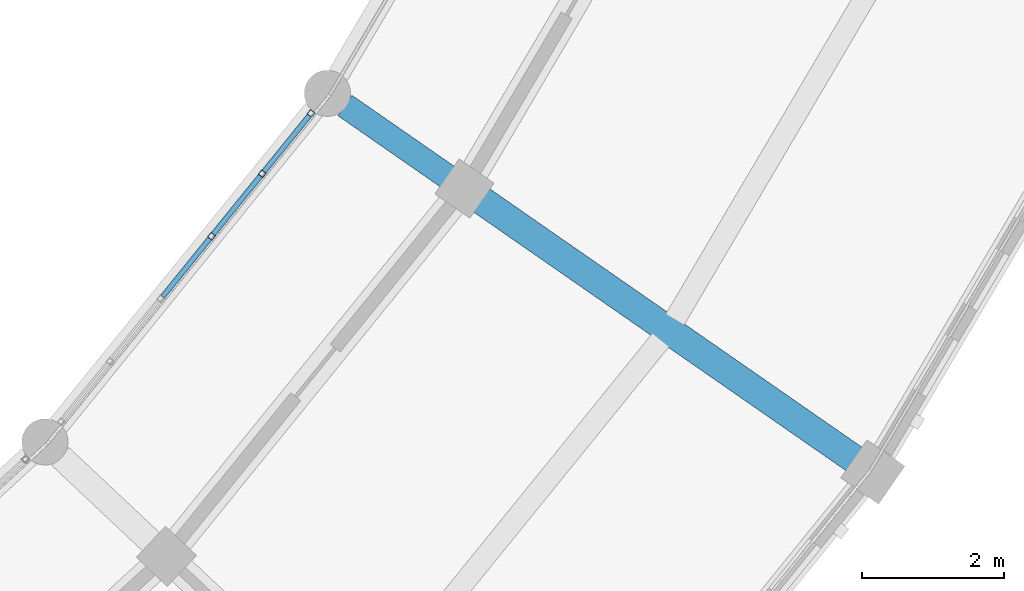
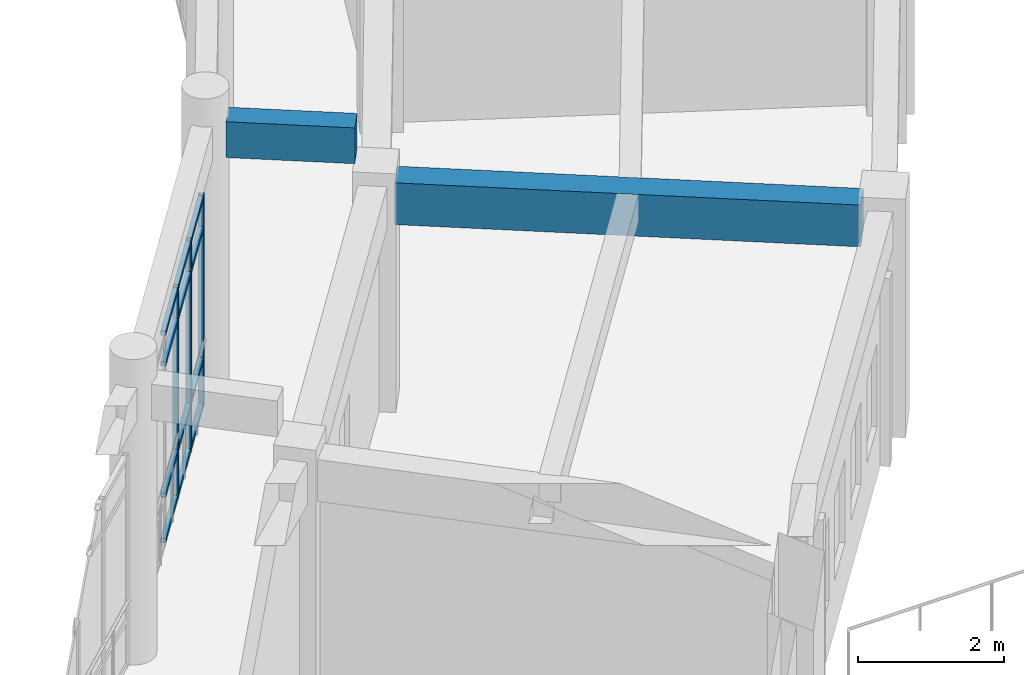
# One storey, part 45 of 159: 15 members, 2 beams, 1 element without a shape of its own.
"""IFC4 building model written with IfcOpenShell, lengths in metres."""

from ifc_helpers import new_model, si_unit, direction, frame, origin, origin_2d, place, context, subcontext, project, spatial, rectangle, hollow_rectangle, extrude, material, material_profile, profile_set, type_object, element, aggregate, save


model = new_model("IFC4")

# Units and contexts
model_context = context("Model", 3, precision=1e-05, world=origin(), true_north=direction((0.0, 1.0)))
body_context = subcontext(model_context, "Body", "Model", "MODEL_VIEW")
ifc_project = project(units=[si_unit("LENGTHUNIT", "METRE"), si_unit("AREAUNIT", "SQUARE_METRE"), si_unit("VOLUMEUNIT", "CUBIC_METRE"), si_unit("PLANEANGLEUNIT", "RADIAN"), si_unit("MASSUNIT", "GRAM", prefix="KILO")], contexts=[model_context])

# Site, building, storey
site_placement = place(None, origin())
site = spatial("IfcSite", under=ifc_project, at=site_placement, CompositionType="ELEMENT")
building_placement = place(site_placement, origin())
building = spatial("IfcBuilding", under=site, at=building_placement, Name="Celadon Cloister-Ring School", CompositionType="ELEMENT")
storey_placement = place(building_placement, frame((0.0, 0.0, 4.5)))
storey = spatial("IfcBuildingStorey", under=building, at=storey_placement, Name="L01", CompositionType="ELEMENT", Elevation=4.5)

# Beam
ifc_material_1 = material(Name="Concrete C35/45", Category="concrete")
ifc_material_profile_1 = material_profile(ifc_material_1, rectangle(XDim=0.35009765625, YDim=0.60009765625, at=origin_2d()), Name="RC350X600")
ifc_profile_set_1 = profile_set([ifc_material_profile_1], Name="Concrete C35/45")
beam_type_1 = type_object("IfcBeamType", Name="BT-02", PredefinedType="BEAM", material=ifc_profile_set_1)
beam_1_placement = place(storey_placement, frame((123.736083984375, 33.489990234375, 4.35009765625), z_axis=(-0.821255410726, 0.570560733273, 0.0), x_axis=(-0.570560733273, -0.821255410726, 0.0)))
element("IfcBeam", 1, at=beam_1_placement, inside=storey, type_object=beam_type_1, Name="Beam 0245", PredefinedType="BEAM", context=body_context, shape_type="SweptSolid", body=[
    extrude(rectangle(XDim=0.35009765625, YDim=0.60009765625, at=origin_2d()), origin(), (0.0, 0.0, 1.0), 1.775390625),
])

# Curtain wall, members
ifc_material_2 = material(Name="Aluminium EN AW-6063 T6", Category="aluminium")
curtain_wall_type = type_object("IfcCurtainWallType", Name="CW-01", PredefinedType="USERDEFINED", material=ifc_material_2)
curtain_wall_placement = place(storey_placement, origin())
curtain_wall = element("IfcCurtainWall", 2, at=curtain_wall_placement, inside=storey, type_object=curtain_wall_type, Name="Curtain Wall 0036", ObjectType="CURTAIN WALL", PredefinedType="USERDEFINED")
ifc_material_3 = material(Name="Aluminium EN AW-6063 T6", Category="aluminium")
ifc_material_profile_2 = material_profile(ifc_material_3, hollow_rectangle(XDim=0.080078125, YDim=0.080078125, WallThickness=0.00390625, at=origin_2d()), Name="RHS80X80X4")
ifc_profile_set_2 = profile_set([ifc_material_profile_2], Name="Aluminium EN AW-6063 T6")
member_type_1 = type_object("IfcMemberType", Name="CM-03", PredefinedType="MULLION", material=ifc_profile_set_2)
member_1_placement = place(storey_placement, frame((120.39990234375, 32.659912109375, 0.0), z_axis=(0.0, 0.0, 1.0), x_axis=(-0.777068192474, 0.629416415615, 0.0)))
member_1 = element("IfcMember", 3, at=member_1_placement, type_object=member_type_1, Name="CW-01 mullion 4", PredefinedType="MULLION", context=body_context, shape_type="SweptSolid", body=[
    extrude(hollow_rectangle(XDim=0.080078125, YDim=0.080078125, WallThickness=0.00390625, at=origin_2d()), origin(), (0.0, 0.0, 1.0), 3.550048828125),
])
member_2_placement = place(storey_placement, frame((121.11328125, 33.541015625, 0.0), z_axis=(0.0, 0.0, 1.0), x_axis=(-0.777068192474, 0.629416415615, 0.0)))
member_2 = element("IfcMember", 4, at=member_2_placement, type_object=member_type_1, Name="CW-01 mullion 5", PredefinedType="MULLION", context=body_context, shape_type="SweptSolid", body=[
    extrude(hollow_rectangle(XDim=0.080078125, YDim=0.080078125, WallThickness=0.00390625, at=origin_2d()), origin(), (0.0, 0.0, 1.0), 3.550048828125),
])
member_3_placement = place(storey_placement, frame((121.8017578125, 34.390869140625, 0.0), z_axis=(0.0, 0.0, 1.0), x_axis=(-0.777068192474, 0.629416415615, 0.0)))
member_3 = element("IfcMember", 5, at=member_3_placement, type_object=member_type_1, Name="CW-01 mullion 6", PredefinedType="MULLION", context=body_context, shape_type="SweptSolid", body=[
    extrude(hollow_rectangle(XDim=0.080078125, YDim=0.080078125, WallThickness=0.00390625, at=origin_2d()), origin(), (0.0, 0.0, 1.0), 3.550048828125),
])
ifc_material_4 = material(Name="Aluminium EN AW-6063 T6", Category="aluminium")
ifc_material_profile_3 = material_profile(ifc_material_4, hollow_rectangle(XDim=0.074951171875, YDim=0.074951171875, WallThickness=0.00390625, at=origin_2d()), Name="RHS75X75X4")
ifc_profile_set_3 = profile_set([ifc_material_profile_3], Name="Aluminium EN AW-6063 T6")
member_type_2 = type_object("IfcMemberType", Name="CTM-03", PredefinedType="USERDEFINED", material=ifc_profile_set_3)
member_4_placement = place(storey_placement, frame((119.71142578125, 31.81005859375, 0.03759765625), z_axis=(0.62931820134, 0.777147734644, 0.0), x_axis=(-0.777147734644, 0.62931820134, 0.0)))
member_4 = element("IfcMember", 6, at=member_4_placement, type_object=member_type_2, Name="CW-01 transom 3.1", ObjectType="TRANSOM", PredefinedType="USERDEFINED", context=body_context, shape_type="SweptSolid", body=[
    extrude(hollow_rectangle(XDim=0.074951171875, YDim=0.074951171875, WallThickness=0.00390625, at=origin_2d()), origin(), (0.0, 0.0, 1.0), 1.0537109375),
])
member_5_placement = place(storey_placement, frame((119.71142578125, 31.81005859375, 0.800048828125), z_axis=(0.62931820134, 0.777147734644, 0.0), x_axis=(-0.777147734644, 0.62931820134, 0.0)))
member_5 = element("IfcMember", 7, at=member_5_placement, type_object=member_type_2, Name="CW-01 transom 3.2", ObjectType="TRANSOM", PredefinedType="USERDEFINED", context=body_context, shape_type="SweptSolid", body=[
    extrude(hollow_rectangle(XDim=0.074951171875, YDim=0.074951171875, WallThickness=0.00390625, at=origin_2d()), origin(), (0.0, 0.0, 1.0), 1.0537109375),
])
member_6_placement = place(storey_placement, frame((119.71142578125, 31.81005859375, 3.0), z_axis=(0.62931820134, 0.777147734644, 0.0), x_axis=(-0.777147734644, 0.62931820134, 0.0)))
member_6 = element("IfcMember", 8, at=member_6_placement, type_object=member_type_2, Name="CW-01 transom 3.3", ObjectType="TRANSOM", PredefinedType="USERDEFINED", context=body_context, shape_type="SweptSolid", body=[
    extrude(hollow_rectangle(XDim=0.074951171875, YDim=0.074951171875, WallThickness=0.00390625, at=origin_2d()), origin(), (0.0, 0.0, 1.0), 1.0537109375),
])
member_7_placement = place(storey_placement, frame((119.71142578125, 31.81005859375, 3.512451171875), z_axis=(0.62931820134, 0.777147734644, 0.0), x_axis=(-0.777147734644, 0.62931820134, 0.0)))
member_7 = element("IfcMember", 9, at=member_7_placement, type_object=member_type_2, Name="CW-01 transom 3.4", ObjectType="TRANSOM", PredefinedType="USERDEFINED", context=body_context, shape_type="SweptSolid", body=[
    extrude(hollow_rectangle(XDim=0.074951171875, YDim=0.074951171875, WallThickness=0.00390625, at=origin_2d()), origin(), (0.0, 0.0, 1.0), 1.0537109375),
])
member_8_placement = place(storey_placement, frame((120.425048828125, 32.691162109375, 0.03759765625), z_axis=(0.62931820134, 0.777147734644, 0.0), x_axis=(-0.777147734644, 0.62931820134, 0.0)))
member_8 = element("IfcMember", 10, at=member_8_placement, type_object=member_type_2, Name="CW-01 transom 4.1", ObjectType="TRANSOM", PredefinedType="USERDEFINED", context=body_context, shape_type="SweptSolid", body=[
    extrude(hollow_rectangle(XDim=0.074951171875, YDim=0.074951171875, WallThickness=0.00390625, at=origin_2d()), origin(), (0.0, 0.0, 1.0), 1.0537109375),
])
member_9_placement = place(storey_placement, frame((120.425048828125, 32.691162109375, 0.800048828125), z_axis=(0.62931820134, 0.777147734644, 0.0), x_axis=(-0.777147734644, 0.62931820134, 0.0)))
member_9 = element("IfcMember", 11, at=member_9_placement, type_object=member_type_2, Name="CW-01 transom 4.2", ObjectType="TRANSOM", PredefinedType="USERDEFINED", context=body_context, shape_type="SweptSolid", body=[
    extrude(hollow_rectangle(XDim=0.074951171875, YDim=0.074951171875, WallThickness=0.00390625, at=origin_2d()), origin(), (0.0, 0.0, 1.0), 1.0537109375),
])
member_10_placement = place(storey_placement, frame((120.425048828125, 32.691162109375, 3.0), z_axis=(0.62931820134, 0.777147734644, 0.0), x_axis=(-0.777147734644, 0.62931820134, 0.0)))
member_10 = element("IfcMember", 12, at=member_10_placement, type_object=member_type_2, Name="CW-01 transom 4.3", ObjectType="TRANSOM", PredefinedType="USERDEFINED", context=body_context, shape_type="SweptSolid", body=[
    extrude(hollow_rectangle(XDim=0.074951171875, YDim=0.074951171875, WallThickness=0.00390625, at=origin_2d()), origin(), (0.0, 0.0, 1.0), 1.0537109375),
])
member_11_placement = place(storey_placement, frame((120.425048828125, 32.691162109375, 3.512451171875), z_axis=(0.62931820134, 0.777147734644, 0.0), x_axis=(-0.777147734644, 0.62931820134, 0.0)))
member_11 = element("IfcMember", 13, at=member_11_placement, type_object=member_type_2, Name="CW-01 transom 4.4", ObjectType="TRANSOM", PredefinedType="USERDEFINED", context=body_context, shape_type="SweptSolid", body=[
    extrude(hollow_rectangle(XDim=0.074951171875, YDim=0.074951171875, WallThickness=0.00390625, at=origin_2d()), origin(), (0.0, 0.0, 1.0), 1.0537109375),
])
member_12_placement = place(storey_placement, frame((121.138671875, 33.572021484375, 0.03759765625), z_axis=(0.629295216568, 0.777166346676, 0.0), x_axis=(-0.777166346676, 0.629295216568, 0.0)))
member_12 = element("IfcMember", 14, at=member_12_placement, type_object=member_type_2, Name="CW-01 transom 5.1", ObjectType="TRANSOM", PredefinedType="USERDEFINED", context=body_context, shape_type="SweptSolid", body=[
    extrude(hollow_rectangle(XDim=0.074951171875, YDim=0.074951171875, WallThickness=0.00390625, at=origin_2d()), origin(), (0.0, 0.0, 1.0), 1.013671875),
])
member_13_placement = place(storey_placement, frame((121.138671875, 33.572021484375, 0.800048828125), z_axis=(0.629295216568, 0.777166346676, 0.0), x_axis=(-0.777166346676, 0.629295216568, 0.0)))
member_13 = element("IfcMember", 15, at=member_13_placement, type_object=member_type_2, Name="CW-01 transom 5.2", ObjectType="TRANSOM", PredefinedType="USERDEFINED", context=body_context, shape_type="SweptSolid", body=[
    extrude(hollow_rectangle(XDim=0.074951171875, YDim=0.074951171875, WallThickness=0.00390625, at=origin_2d()), origin(), (0.0, 0.0, 1.0), 1.013671875),
])
member_14_placement = place(storey_placement, frame((121.138671875, 33.572021484375, 3.0), z_axis=(0.629295216568, 0.777166346676, 0.0), x_axis=(-0.777166346676, 0.629295216568, 0.0)))
member_14 = element("IfcMember", 16, at=member_14_placement, type_object=member_type_2, Name="CW-01 transom 5.3", ObjectType="TRANSOM", PredefinedType="USERDEFINED", context=body_context, shape_type="SweptSolid", body=[
    extrude(hollow_rectangle(XDim=0.074951171875, YDim=0.074951171875, WallThickness=0.00390625, at=origin_2d()), origin(), (0.0, 0.0, 1.0), 1.013671875),
])
member_15_placement = place(storey_placement, frame((121.138671875, 33.572021484375, 3.512451171875), z_axis=(0.629295216568, 0.777166346676, 0.0), x_axis=(-0.777166346676, 0.629295216568, 0.0)))
member_15 = element("IfcMember", 17, at=member_15_placement, type_object=member_type_2, Name="CW-01 transom 5.4", ObjectType="TRANSOM", PredefinedType="USERDEFINED", context=body_context, shape_type="SweptSolid", body=[
    extrude(hollow_rectangle(XDim=0.074951171875, YDim=0.074951171875, WallThickness=0.00390625, at=origin_2d()), origin(), (0.0, 0.0, 1.0), 1.013671875),
])
aggregate(curtain_wall, [member_1, member_2, member_3, member_4, member_5, member_6, member_7, member_8, member_9, member_10, member_11, member_12, member_13, member_14, member_15])

# Beam
ifc_material_5 = material(Name="Concrete C35/45", Category="concrete")
ifc_material_profile_4 = material_profile(ifc_material_5, rectangle(XDim=0.39990234375, YDim=0.699951171875, at=origin_2d()), Name="RC400X700")
ifc_profile_set_4 = profile_set([ifc_material_profile_4], Name="Concrete C35/45")
beam_type_2 = type_object("IfcBeamType", Name="GT-03", PredefinedType="USERDEFINED", material=ifc_profile_set_4)
beam_2_placement = place(storey_placement, frame((129.466064453125, 29.511962890625, 3.429931640625), z_axis=(-0.82146242605, 0.570262643515, 0.0), x_axis=(-0.570262643515, -0.82146242605, 0.0)))
element("IfcBeam", 18, at=beam_2_placement, inside=storey, type_object=beam_type_2, Name="Beam 0244", ObjectType="GIRDER", PredefinedType="USERDEFINED", context=body_context, shape_type="SweptSolid", body=[
    extrude(rectangle(XDim=0.39990234375, YDim=0.699951171875, at=origin_2d()), origin(), (0.0, 0.0, 1.0), 6.42529296875),
])

save(model, "model.ifc")
